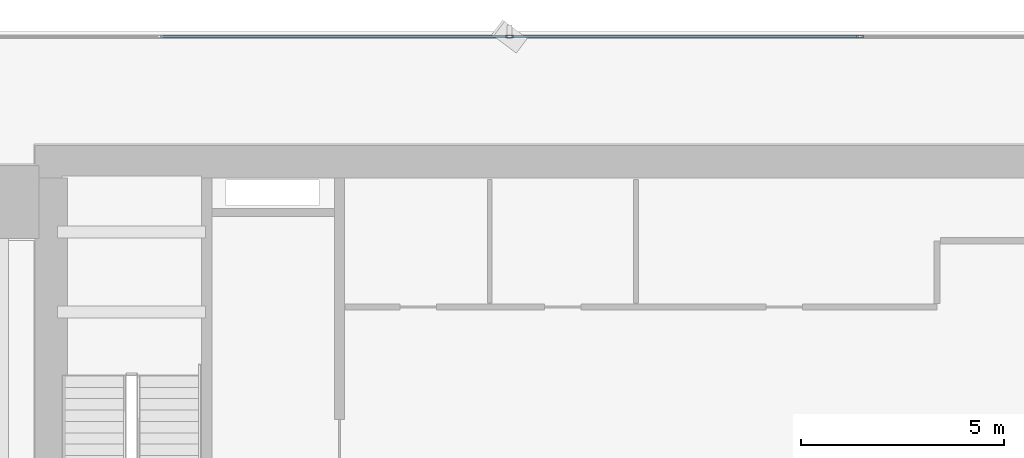
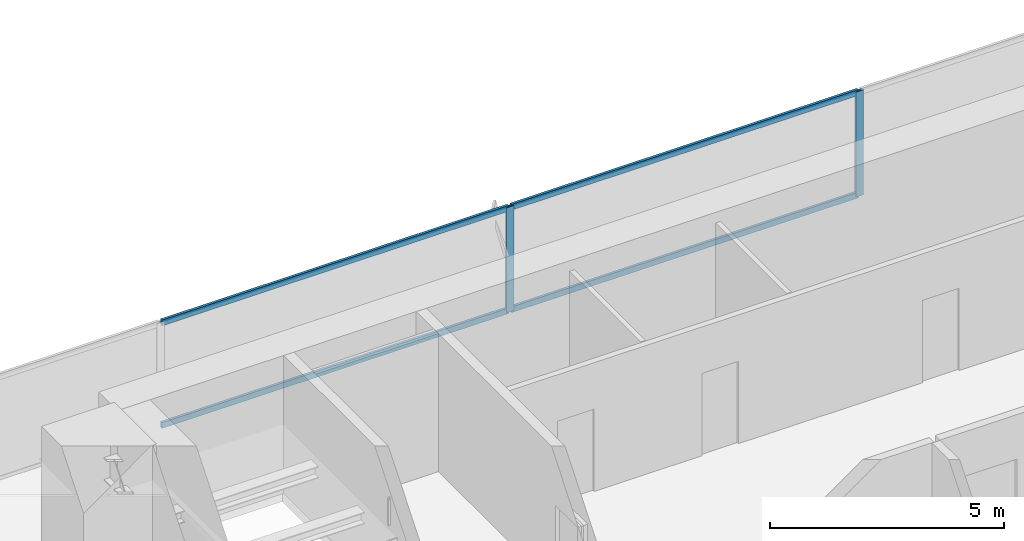
# One storey, part 19 of 33: 6 members, 1 element without a shape of its own.
"""IFC4 building model written with IfcOpenShell, lengths in metres."""

import ifcopenshell
import ifcopenshell.guid

model = None  # the IFC model being written
_history = None  # IfcOwnerHistory: only IFC2X3 demands one
_inside = {}  # id of a spatial element -> (the spatial element, [elements in it])
_under = {}  # id of a project, library or spatial element -> (it, [spatial elements below it])
_declared = {}  # id of a project -> (the project, [libraries it declares])
_typed = {}  # id of a type object -> (the type object, [elements of that type])
_made_of = {}  # id of a material, layer set ... -> (it, [elements and type objects made of it])


def new_model(schema):
    """Start an empty IFC model of exactly this schema.

    Asked for "IFC4X3", IfcOpenShell would pick the latest addendum, in which some entities
    have other attributes; the version numbers below select the first issue.
    IFC2X3 requires an IfcOwnerHistory on every rooted entity: one is made here for all.
    """
    global model, _history
    if schema == "IFC4X3":
        model = ifcopenshell.file(schema_version=(4, 3, 0, 0))
    else:
        model = ifcopenshell.file(schema=schema)
    _inside.clear()
    _under.clear()
    _declared.clear()
    _typed.clear()
    _made_of.clear()
    _history = None
    if model.schema == "IFC2X3":
        org = make("IfcOrganization", Name="unknown")
        user = make(
            "IfcPersonAndOrganization",
            ThePerson=make("IfcPerson", FamilyName="unknown"),
            TheOrganization=org,
        )
        app = make(
            "IfcApplication",
            ApplicationDeveloper=org,
            Version="unknown",
            ApplicationFullName="unknown",
            ApplicationIdentifier="unknown",
        )
        _history = make(
            "IfcOwnerHistory",
            OwningUser=user,
            OwningApplication=app,
            ChangeAction="ADDED",
            CreationDate=0,
        )
    return model


def make(cls, **values):
    """One entity of the class cls with the attributes given. An attribute that is None is left unset."""
    return model.create_entity(
        cls, **{name: value for name, value in values.items() if value is not None}
    )


def rooted(cls, **values):
    """An entity with a GlobalId (a new one), such as an element, a storey or a relation."""
    return make(cls, GlobalId=ifcopenshell.guid.new(), OwnerHistory=_history, **values)


def si_unit(unit_type, name, prefix=None):
    """IfcSIUnit, for example si_unit("LENGTHUNIT", "METRE", prefix="MILLI")."""
    return make("IfcSIUnit", UnitType=unit_type, Prefix=prefix, Name=name)


def assignment(units):
    """IfcUnitAssignment: the units of a project."""
    return None if units is None else make("IfcUnitAssignment", Units=units)


def point(xyz):
    """IfcCartesianPoint."""
    return None if xyz is None else make("IfcCartesianPoint", Coordinates=xyz)


def direction(xyz):
    """IfcDirection."""
    return None if xyz is None else make("IfcDirection", DirectionRatios=xyz)


def frame(location, z_axis=None, x_axis=None):
    """IfcAxis2Placement3D, a coordinate frame: its origin and axes. An axis left out is left unset."""
    return make(
        "IfcAxis2Placement3D",
        Location=point(location),
        Axis=direction(z_axis),
        RefDirection=direction(x_axis),
    )


def frame_2d(location, x_axis=None):
    """IfcAxis2Placement2D, a coordinate frame in the plane: its origin and x axis."""
    return make(
        "IfcAxis2Placement2D", Location=point(location), RefDirection=direction(x_axis)
    )


def origin():
    """The frame at (0, 0, 0) with its axes left unset."""
    return frame((0.0, 0.0, 0.0))


def origin_2d():
    """The frame at (0, 0) in the plane with its x axis left unset."""
    return frame_2d((0.0, 0.0))


def place(relative_to, where):
    """IfcLocalPlacement: puts the frame where relative to a parent placement (None: the world)."""
    return make(
        "IfcLocalPlacement", PlacementRelTo=relative_to, RelativePlacement=where
    )


def context(
    kind, dimensions, precision=None, world=None, true_north=None, identifier=None
):
    """IfcGeometricRepresentationContext, for example the 3D "Model" context."""
    return make(
        "IfcGeometricRepresentationContext",
        ContextIdentifier=identifier,
        ContextType=kind,
        CoordinateSpaceDimension=dimensions,
        Precision=precision,
        WorldCoordinateSystem=world,
        TrueNorth=true_north,
    )


def subcontext(parent, identifier, kind, view, scale=None):
    """IfcGeometricRepresentationSubContext, for example "Body" below "Model"."""
    return make(
        "IfcGeometricRepresentationSubContext",
        ContextIdentifier=identifier,
        ContextType=kind,
        ParentContext=parent,
        TargetScale=scale,
        TargetView=view,
    )


def project(units=None, contexts=None):
    """IfcProject with its units and contexts."""
    return rooted(
        "IfcProject",
        Name="project",
        RepresentationContexts=contexts,
        UnitsInContext=assignment(units),
    )


def spatial(cls, under=None, at=None, **own):
    """A site, building, storey or space (cls), placed at a placement, below another one or the project."""
    s = rooted(cls, ObjectPlacement=at, **own)
    if under is not None:
        _under.setdefault(under.id(), (under, []))[1].append(s)
    return s


def profile(cls, at=None, kind="AREA", **sizes):
    """A parametric profile (cls). Its sizes go by their IFC names, for example OverallWidth=200.0."""
    return make(cls, ProfileType=kind, Position=at, **sizes)


def hollow_rectangle(**sizes):
    """IfcRectangleHollowProfileDef."""
    return profile("IfcRectangleHollowProfileDef", **sizes)


def extrude(swept, where, along, depth):
    """IfcExtrudedAreaSolid: the profile swept, set in the frame where, extruded along a direction by depth."""
    return make(
        "IfcExtrudedAreaSolid",
        SweptArea=swept,
        Position=where,
        ExtrudedDirection=direction(along),
        Depth=depth,
    )


def shape(context_of_items, identifier, shape_type, items):
    """IfcShapeRepresentation: the items that make up one representation, for example the "Body"."""
    return make(
        "IfcShapeRepresentation",
        ContextOfItems=context_of_items,
        RepresentationIdentifier=identifier,
        RepresentationType=shape_type,
        Items=items,
    )


def source(mapping_origin, context_of_items, identifier, shape_type, items):
    """IfcRepresentationMap: a shape defined once, which mapped items show again and again."""
    return make(
        "IfcRepresentationMap",
        MappingOrigin=mapping_origin,
        MappedRepresentation=shape(context_of_items, identifier, shape_type, items),
    )


def transform(
    local_origin,
    x_axis=None,
    y_axis=None,
    z_axis=None,
    scale=None,
    scale2=None,
    scale3=None,
    uniform=True,
):
    """IfcCartesianTransformationOperator3D, or its non-uniform kind. x_axis, y_axis, z_axis: its Axis1, 2, 3."""
    if uniform:
        return make(
            "IfcCartesianTransformationOperator3D",
            Axis1=direction(x_axis),
            Axis2=direction(y_axis),
            LocalOrigin=point(local_origin),
            Scale=scale,
            Axis3=direction(z_axis),
        )
    return make(
        "IfcCartesianTransformationOperator3DnonUniform",
        Axis1=direction(x_axis),
        Axis2=direction(y_axis),
        LocalOrigin=point(local_origin),
        Scale=scale,
        Axis3=direction(z_axis),
        Scale2=scale2,
        Scale3=scale3,
    )


def mapped(mapping_source, mapping_target):
    """IfcMappedItem: shows the shape of a source again, moved by a transform."""
    return make(
        "IfcMappedItem", MappingSource=mapping_source, MappingTarget=mapping_target
    )


def material(Name=None, Category=None):
    """IfcMaterial."""
    return make("IfcMaterial", Name=Name, Category=Category)


def layer(
    of_material, thickness, ventilated=None, Name=None, Category=None, Priority=None
):
    """IfcMaterialLayer: one layer of a wall or slab, of a material (None: an air gap)."""
    return make(
        "IfcMaterialLayer",
        Material=of_material,
        LayerThickness=thickness,
        IsVentilated=ventilated,
        Name=Name,
        Category=Category,
        Priority=Priority,
    )


def layer_set(layers, Name=None):
    """IfcMaterialLayerSet."""
    return make("IfcMaterialLayerSet", MaterialLayers=layers, LayerSetName=Name)


def material_profile(
    of_material, cross_section, Name=None, Category=None, Priority=None
):
    """IfcMaterialProfile: a cross section and its material."""
    return make(
        "IfcMaterialProfile",
        Name=Name,
        Material=of_material,
        Profile=cross_section,
        Priority=Priority,
        Category=Category,
    )


def profile_set(profiles, Name=None, composite=None):
    """IfcMaterialProfileSet."""
    return make(
        "IfcMaterialProfileSet",
        Name=Name,
        MaterialProfiles=profiles,
        CompositeProfile=composite,
    )


def made_of(thing, what):
    """Note that an element or type object is made of a material, layer set ...; save() writes the relation."""
    if what is not None:
        _made_of.setdefault(what.id(), (what, []))[1].append(thing)
    return thing


def type_object(cls, material=None, **own):
    """A type object (cls), such as IfcWallType, which elements share."""
    return made_of(rooted(cls, **own), material)


def element(
    cls,
    number,
    at=None,
    inside=None,
    cuts=None,
    type_object=None,
    material=None,
    context=None,
    identifier="Body",
    shape_type=None,
    held_by="IfcProductDefinitionShape",
    body=None,
    shapes=None,
    **own,
):
    """One element of the class cls, such as IfcWall. Its Tag is "e" and its number.

    at: its placement. inside: the storey or other place that contains it. cuts: it is an
    opening in that element (IfcRelVoidsElement). A single representation is given by context,
    identifier, shape_type and body (its items); several are given by shapes. held_by: the class
    of the entity that holds the representations. save() writes the other relations.
    """
    e = rooted(cls, Tag="e%d" % number, ObjectPlacement=at, **own)
    if body is not None:
        shapes = [shape(context, identifier, shape_type, body)]
    if shapes is not None:
        e.Representation = make(held_by, Representations=shapes)
    if inside is not None:
        _inside.setdefault(inside.id(), (inside, []))[1].append(e)
    if cuts is not None:
        rooted(
            "IfcRelVoidsElement", RelatingBuildingElement=cuts, RelatedOpeningElement=e
        )
    if type_object is not None:
        _typed.setdefault(type_object.id(), (type_object, []))[1].append(e)
    return made_of(e, material)


def aggregate(whole, parts):
    """IfcRelAggregates: a whole, such as a stair, and the parts it consists of."""
    return rooted("IfcRelAggregates", RelatingObject=whole, RelatedObjects=parts)


def save(model, path):
    """Write the relations noted so far, then the file.

    IfcRelAggregates (storeys below a building ...), IfcRelContainedInSpatialStructure (elements
    in a storey), IfcRelDefinesByType, IfcRelAssociatesMaterial and IfcRelDeclares: one each for
    every whole, place, type object, material and project.
    """
    for whole, parts in _under.values():
        aggregate(whole, parts)
    for where, things in _inside.values():
        rooted(
            "IfcRelContainedInSpatialStructure",
            RelatedElements=things,
            RelatingStructure=where,
        )
    for kind, things in _typed.values():
        rooted("IfcRelDefinesByType", RelatedObjects=things, RelatingType=kind)
    for what, things in _made_of.values():
        rooted("IfcRelAssociatesMaterial", RelatedObjects=things, RelatingMaterial=what)
    for by, libraries in _declared.values():
        rooted("IfcRelDeclares", RelatingContext=by, RelatedDefinitions=libraries)
    model.write(path)


model = new_model("IFC4")

# Units and contexts
model_context = context("Model", 3, precision=1e-05, world=origin(), true_north=direction((0.0, 1.0)))
body_context = subcontext(model_context, "Body", "Model", "MODEL_VIEW")
ifc_project = project(units=[si_unit("LENGTHUNIT", "METRE"), si_unit("AREAUNIT", "SQUARE_METRE"), si_unit("VOLUMEUNIT", "CUBIC_METRE"), si_unit("PLANEANGLEUNIT", "RADIAN"), si_unit("MASSUNIT", "GRAM", prefix="KILO")], contexts=[model_context])

# Site, building, storey
site_placement = place(None, origin())
site = spatial("IfcSite", under=ifc_project, at=site_placement, CompositionType="ELEMENT")
building_placement = place(site_placement, origin())
building = spatial("IfcBuilding", under=site, at=building_placement, Name="Sumidabori Civic Tower", CompositionType="ELEMENT")
storey_placement = place(building_placement, frame((0.0, 0.0, 23.60009765625)))
storey = spatial("IfcBuildingStorey", under=building, at=storey_placement, Name="L05", CompositionType="ELEMENT", Elevation=23.60009765625)

# Curtain wall, members
ifc_material = material(Name="Anodised Bronze Aluminium AW-6063-T6", Category="aluminium")
ifc_layer = layer(ifc_material, 0.179931640625, Name="Anodised Bronze Aluminium AW-6063-T6")
ifc_layer_set = layer_set([ifc_layer], Name="Anodised Bronze Aluminium AW-6063-T6")
curtain_wall_type = type_object("IfcCurtainWallType", Name="CW-SYS-2", PredefinedType="NOTDEFINED", material=ifc_layer_set)
curtain_wall_placement = place(storey_placement, origin())
curtain_wall = element("IfcCurtainWall", 1, at=curtain_wall_placement, inside=storey, type_object=curtain_wall_type, Name="Curtain Wall CW:L05:R08", PredefinedType="NOTDEFINED")
ifc_material_profile_1 = material_profile(ifc_material, hollow_rectangle(XDim=0.070068359375, YDim=0.179931640625, WallThickness=0.006103515625, at=origin_2d()), Name="ALU MULLION 180x70")
ifc_profile_set_1 = profile_set([ifc_material_profile_1], Name="Anodised Bronze Aluminium AW-6063-T6")
member_type_1 = type_object("IfcMemberType", Name="CW-MUL-180", PredefinedType="MULLION", material=ifc_profile_set_1)
shared_shape_1 = source(origin(), body_context, "Body", "SweptSolid", [
    extrude(hollow_rectangle(XDim=0.070068359375, YDim=0.179931640625, WallThickness=0.006103515625, at=origin_2d()), origin(), (0.0, 0.0, 1.0), 2.739990234375),
])
member_1_placement = place(storey_placement, frame((4.31396484375, 26.8798828125, 0.0), z_axis=(0.0, 0.0, 1.0), x_axis=(0.0, -1.0, 0.0)))
member_1 = element("IfcMember", 2, at=member_1_placement, type_object=member_type_1, Name="CW-2 mullion 3", PredefinedType="MULLION", context=body_context, shape_type="MappedRepresentation", body=[
    mapped(shared_shape_1, transform((0.0, 0.0, 0.0), x_axis=(1.0, 0.0, 0.0), y_axis=(0.0, 1.0, 0.0), z_axis=(0.0, 0.0, 1.0), scale=1.0)),
])
member_2_placement = place(storey_placement, frame((-4.31396484375, 26.8798828125, 0.0), z_axis=(0.0, 0.0, 1.0), x_axis=(0.0, -1.0, 0.0)))
member_2 = element("IfcMember", 3, at=member_2_placement, type_object=member_type_1, Name="CW-2 mullion 4", PredefinedType="MULLION", context=body_context, shape_type="MappedRepresentation", body=[
    mapped(shared_shape_1, transform((0.0, 0.0, 0.0), x_axis=(1.0, 0.0, 0.0), y_axis=(0.0, 1.0, 0.0), z_axis=(0.0, 0.0, 1.0), scale=1.0)),
])
ifc_material_profile_2 = material_profile(ifc_material, hollow_rectangle(XDim=0.06494140625, YDim=0.14990234375, WallThickness=0.0048828125, at=origin_2d()), Name="ALU TRANSOM 150x65")
ifc_profile_set_2 = profile_set([ifc_material_profile_2], Name="Anodised Bronze Aluminium AW-6063-T6")
member_type_2 = type_object("IfcMemberType", Name="CW-TRN-150", PredefinedType="USERDEFINED", material=ifc_profile_set_2)
shared_shape_2 = source(origin(), body_context, "Body", "SweptSolid", [
    extrude(hollow_rectangle(XDim=0.06494140625, YDim=0.14990234375, WallThickness=0.0048828125, at=origin_2d()), origin(), (0.0, 0.0, 1.0), 8.557861328125),
])
member_3_placement = place(storey_placement, frame((-4.34912109375, 26.8798828125, 0.032470703125), z_axis=(-1.0, 0.0, 0.0), x_axis=(0.0, -1.0, 0.0)))
member_3 = element("IfcMember", 4, at=member_3_placement, type_object=member_type_2, Name="CW-2 transom 4.1", ObjectType="TRANSOM", PredefinedType="USERDEFINED", context=body_context, shape_type="MappedRepresentation", body=[
    mapped(shared_shape_2, transform((0.0, 0.0, 0.0), x_axis=(1.0, 0.0, 0.0), y_axis=(0.0, 1.0, 0.0), z_axis=(0.0, 0.0, 1.0), scale=1.0)),
])
member_4_placement = place(storey_placement, frame((-4.34912109375, 26.8798828125, 2.70751953125), z_axis=(-1.0, 0.0, 0.0), x_axis=(0.0, -1.0, 0.0)))
member_4 = element("IfcMember", 5, at=member_4_placement, type_object=member_type_2, Name="CW-2 transom 4.2", ObjectType="TRANSOM", PredefinedType="USERDEFINED", context=body_context, shape_type="MappedRepresentation", body=[
    mapped(shared_shape_2, transform((0.0, 0.0, 0.0), x_axis=(1.0, 0.0, 0.0), y_axis=(0.0, 1.0, 0.0), z_axis=(0.0, 0.0, 1.0), scale=1.0)),
])
shared_shape_3 = source(origin(), body_context, "Body", "SweptSolid", [
    extrude(hollow_rectangle(XDim=0.06494140625, YDim=0.14990234375, WallThickness=0.0048828125, at=origin_2d()), origin(), (0.0, 0.0, 1.0), 8.55810546875),
])
member_5_placement = place(storey_placement, frame((4.279052734375, 26.8798828125, 0.032470703125), z_axis=(-1.0, 0.0, 0.0), x_axis=(0.0, -1.0, 0.0)))
member_5 = element("IfcMember", 6, at=member_5_placement, type_object=member_type_2, Name="CW-2 transom 3.1", ObjectType="TRANSOM", PredefinedType="USERDEFINED", context=body_context, shape_type="MappedRepresentation", body=[
    mapped(shared_shape_3, transform((0.0, 0.0, 0.0), x_axis=(1.0, 0.0, 0.0), y_axis=(0.0, 1.0, 0.0), z_axis=(0.0, 0.0, 1.0), scale=1.0)),
])
member_6_placement = place(storey_placement, frame((4.279052734375, 26.8798828125, 2.70751953125), z_axis=(-1.0, 0.0, 0.0), x_axis=(0.0, -1.0, 0.0)))
member_6 = element("IfcMember", 7, at=member_6_placement, type_object=member_type_2, Name="CW-2 transom 3.2", ObjectType="TRANSOM", PredefinedType="USERDEFINED", context=body_context, shape_type="MappedRepresentation", body=[
    mapped(shared_shape_3, transform((0.0, 0.0, 0.0), x_axis=(1.0, 0.0, 0.0), y_axis=(0.0, 1.0, 0.0), z_axis=(0.0, 0.0, 1.0), scale=1.0)),
])
aggregate(curtain_wall, [member_1, member_2, member_5, member_6, member_3, member_4])

save(model, "model.ifc")
